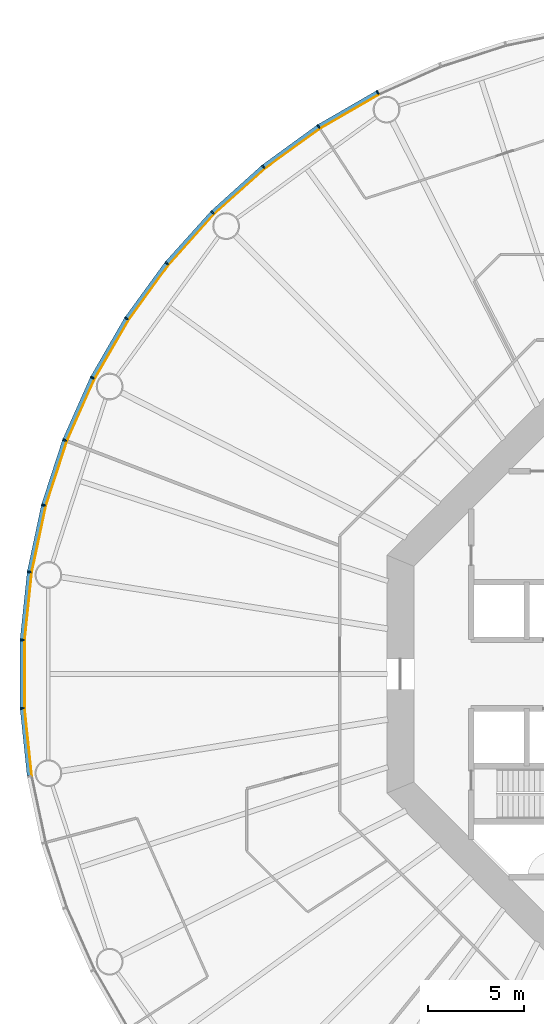
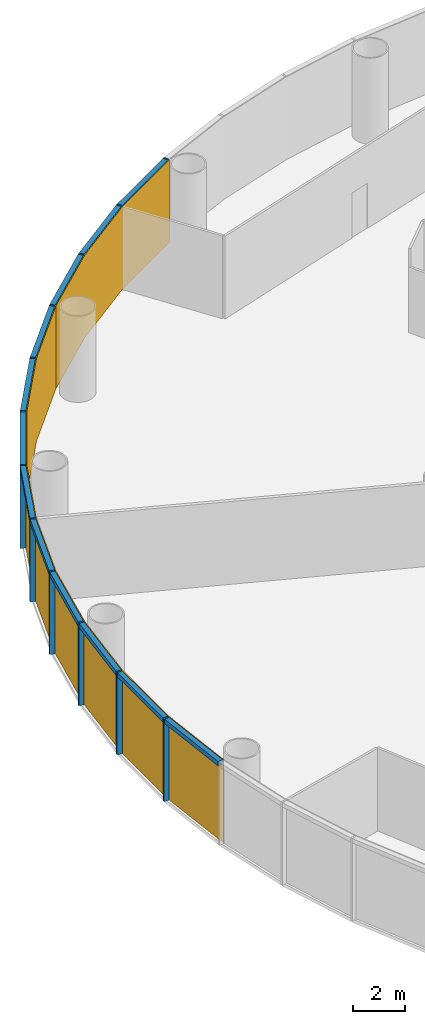
# One storey, part 9 of 13: 24 members, 4 curtain walls.
"""IFC4 building model written with IfcOpenShell, lengths in metres."""

import ifcopenshell
import ifcopenshell.guid

model = None  # the IFC model being written
_history = None  # IfcOwnerHistory: only IFC2X3 demands one
_inside = {}  # id of a spatial element -> (the spatial element, [elements in it])
_under = {}  # id of a project, library or spatial element -> (it, [spatial elements below it])
_declared = {}  # id of a project -> (the project, [libraries it declares])
_typed = {}  # id of a type object -> (the type object, [elements of that type])
_made_of = {}  # id of a material, layer set ... -> (it, [elements and type objects made of it])


def new_model(schema):
    """Start an empty IFC model of exactly this schema.

    Asked for "IFC4X3", IfcOpenShell would pick the latest addendum, in which some entities
    have other attributes; the version numbers below select the first issue.
    IFC2X3 requires an IfcOwnerHistory on every rooted entity: one is made here for all.
    """
    global model, _history
    if schema == "IFC4X3":
        model = ifcopenshell.file(schema_version=(4, 3, 0, 0))
    else:
        model = ifcopenshell.file(schema=schema)
    _inside.clear()
    _under.clear()
    _declared.clear()
    _typed.clear()
    _made_of.clear()
    _history = None
    if model.schema == "IFC2X3":
        org = make("IfcOrganization", Name="unknown")
        user = make(
            "IfcPersonAndOrganization",
            ThePerson=make("IfcPerson", FamilyName="unknown"),
            TheOrganization=org,
        )
        app = make(
            "IfcApplication",
            ApplicationDeveloper=org,
            Version="unknown",
            ApplicationFullName="unknown",
            ApplicationIdentifier="unknown",
        )
        _history = make(
            "IfcOwnerHistory",
            OwningUser=user,
            OwningApplication=app,
            ChangeAction="ADDED",
            CreationDate=0,
        )
    return model


def make(cls, **values):
    """One entity of the class cls with the attributes given. An attribute that is None is left unset."""
    return model.create_entity(
        cls, **{name: value for name, value in values.items() if value is not None}
    )


def rooted(cls, **values):
    """An entity with a GlobalId (a new one), such as an element, a storey or a relation."""
    return make(cls, GlobalId=ifcopenshell.guid.new(), OwnerHistory=_history, **values)


def si_unit(unit_type, name, prefix=None):
    """IfcSIUnit, for example si_unit("LENGTHUNIT", "METRE", prefix="MILLI")."""
    return make("IfcSIUnit", UnitType=unit_type, Prefix=prefix, Name=name)


def assignment(units):
    """IfcUnitAssignment: the units of a project."""
    return None if units is None else make("IfcUnitAssignment", Units=units)


def point(xyz):
    """IfcCartesianPoint."""
    return None if xyz is None else make("IfcCartesianPoint", Coordinates=xyz)


def direction(xyz):
    """IfcDirection."""
    return None if xyz is None else make("IfcDirection", DirectionRatios=xyz)


def frame(location, z_axis=None, x_axis=None):
    """IfcAxis2Placement3D, a coordinate frame: its origin and axes. An axis left out is left unset."""
    return make(
        "IfcAxis2Placement3D",
        Location=point(location),
        Axis=direction(z_axis),
        RefDirection=direction(x_axis),
    )


def frame_2d(location, x_axis=None):
    """IfcAxis2Placement2D, a coordinate frame in the plane: its origin and x axis."""
    return make(
        "IfcAxis2Placement2D", Location=point(location), RefDirection=direction(x_axis)
    )


def origin():
    """The frame at (0, 0, 0) with its axes left unset."""
    return frame((0.0, 0.0, 0.0))


def origin_2d():
    """The frame at (0, 0) in the plane with its x axis left unset."""
    return frame_2d((0.0, 0.0))


def place(relative_to, where):
    """IfcLocalPlacement: puts the frame where relative to a parent placement (None: the world)."""
    return make(
        "IfcLocalPlacement", PlacementRelTo=relative_to, RelativePlacement=where
    )


def context(
    kind, dimensions, precision=None, world=None, true_north=None, identifier=None
):
    """IfcGeometricRepresentationContext, for example the 3D "Model" context."""
    return make(
        "IfcGeometricRepresentationContext",
        ContextIdentifier=identifier,
        ContextType=kind,
        CoordinateSpaceDimension=dimensions,
        Precision=precision,
        WorldCoordinateSystem=world,
        TrueNorth=true_north,
    )


def subcontext(parent, identifier, kind, view, scale=None):
    """IfcGeometricRepresentationSubContext, for example "Body" below "Model"."""
    return make(
        "IfcGeometricRepresentationSubContext",
        ContextIdentifier=identifier,
        ContextType=kind,
        ParentContext=parent,
        TargetScale=scale,
        TargetView=view,
    )


def project(units=None, contexts=None):
    """IfcProject with its units and contexts."""
    return rooted(
        "IfcProject",
        Name="project",
        RepresentationContexts=contexts,
        UnitsInContext=assignment(units),
    )


def spatial(cls, under=None, at=None, **own):
    """A site, building, storey or space (cls), placed at a placement, below another one or the project."""
    s = rooted(cls, ObjectPlacement=at, **own)
    if under is not None:
        _under.setdefault(under.id(), (under, []))[1].append(s)
    return s


def polyline(points):
    """IfcPolyline through the points."""
    return make("IfcPolyline", Points=[point(p) for p in points])


def profile(cls, at=None, kind="AREA", **sizes):
    """A parametric profile (cls). Its sizes go by their IFC names, for example OverallWidth=200.0."""
    return make(cls, ProfileType=kind, Position=at, **sizes)


def rectangle(**sizes):
    """IfcRectangleProfileDef."""
    return profile("IfcRectangleProfileDef", **sizes)


def outline(outer, holes=None, kind="AREA"):
    """IfcArbitraryClosedProfileDef: a profile drawn as a closed curve; with holes, ...WithVoids."""
    if holes is None:
        return make("IfcArbitraryClosedProfileDef", ProfileType=kind, OuterCurve=outer)
    return make(
        "IfcArbitraryProfileDefWithVoids",
        ProfileType=kind,
        OuterCurve=outer,
        InnerCurves=holes,
    )


def extrude(swept, where, along, depth):
    """IfcExtrudedAreaSolid: the profile swept, set in the frame where, extruded along a direction by depth."""
    return make(
        "IfcExtrudedAreaSolid",
        SweptArea=swept,
        Position=where,
        ExtrudedDirection=direction(along),
        Depth=depth,
    )


def shape(context_of_items, identifier, shape_type, items):
    """IfcShapeRepresentation: the items that make up one representation, for example the "Body"."""
    return make(
        "IfcShapeRepresentation",
        ContextOfItems=context_of_items,
        RepresentationIdentifier=identifier,
        RepresentationType=shape_type,
        Items=items,
    )


def material(Name=None, Category=None):
    """IfcMaterial."""
    return make("IfcMaterial", Name=Name, Category=Category)


def layer(
    of_material, thickness, ventilated=None, Name=None, Category=None, Priority=None
):
    """IfcMaterialLayer: one layer of a wall or slab, of a material (None: an air gap)."""
    return make(
        "IfcMaterialLayer",
        Material=of_material,
        LayerThickness=thickness,
        IsVentilated=ventilated,
        Name=Name,
        Category=Category,
        Priority=Priority,
    )


def layer_set(layers, Name=None):
    """IfcMaterialLayerSet."""
    return make("IfcMaterialLayerSet", MaterialLayers=layers, LayerSetName=Name)


def material_profile(
    of_material, cross_section, Name=None, Category=None, Priority=None
):
    """IfcMaterialProfile: a cross section and its material."""
    return make(
        "IfcMaterialProfile",
        Name=Name,
        Material=of_material,
        Profile=cross_section,
        Priority=Priority,
        Category=Category,
    )


def profile_set(profiles, Name=None, composite=None):
    """IfcMaterialProfileSet."""
    return make(
        "IfcMaterialProfileSet",
        Name=Name,
        MaterialProfiles=profiles,
        CompositeProfile=composite,
    )


def made_of(thing, what):
    """Note that an element or type object is made of a material, layer set ...; save() writes the relation."""
    if what is not None:
        _made_of.setdefault(what.id(), (what, []))[1].append(thing)
    return thing


def type_object(cls, material=None, **own):
    """A type object (cls), such as IfcWallType, which elements share."""
    return made_of(rooted(cls, **own), material)


def element(
    cls,
    number,
    at=None,
    inside=None,
    cuts=None,
    type_object=None,
    material=None,
    context=None,
    identifier="Body",
    shape_type=None,
    held_by="IfcProductDefinitionShape",
    body=None,
    shapes=None,
    **own,
):
    """One element of the class cls, such as IfcWall. Its Tag is "e" and its number.

    at: its placement. inside: the storey or other place that contains it. cuts: it is an
    opening in that element (IfcRelVoidsElement). A single representation is given by context,
    identifier, shape_type and body (its items); several are given by shapes. held_by: the class
    of the entity that holds the representations. save() writes the other relations.
    """
    e = rooted(cls, Tag="e%d" % number, ObjectPlacement=at, **own)
    if body is not None:
        shapes = [shape(context, identifier, shape_type, body)]
    if shapes is not None:
        e.Representation = make(held_by, Representations=shapes)
    if inside is not None:
        _inside.setdefault(inside.id(), (inside, []))[1].append(e)
    if cuts is not None:
        rooted(
            "IfcRelVoidsElement", RelatingBuildingElement=cuts, RelatedOpeningElement=e
        )
    if type_object is not None:
        _typed.setdefault(type_object.id(), (type_object, []))[1].append(e)
    return made_of(e, material)


def aggregate(whole, parts):
    """IfcRelAggregates: a whole, such as a stair, and the parts it consists of."""
    return rooted("IfcRelAggregates", RelatingObject=whole, RelatedObjects=parts)


def save(model, path):
    """Write the relations noted so far, then the file.

    IfcRelAggregates (storeys below a building ...), IfcRelContainedInSpatialStructure (elements
    in a storey), IfcRelDefinesByType, IfcRelAssociatesMaterial and IfcRelDeclares: one each for
    every whole, place, type object, material and project.
    """
    for whole, parts in _under.values():
        aggregate(whole, parts)
    for where, things in _inside.values():
        rooted(
            "IfcRelContainedInSpatialStructure",
            RelatedElements=things,
            RelatingStructure=where,
        )
    for kind, things in _typed.values():
        rooted("IfcRelDefinesByType", RelatedObjects=things, RelatingType=kind)
    for what, things in _made_of.values():
        rooted("IfcRelAssociatesMaterial", RelatedObjects=things, RelatingMaterial=what)
    for by, libraries in _declared.values():
        rooted("IfcRelDeclares", RelatingContext=by, RelatedDefinitions=libraries)
    model.write(path)


model = new_model("IFC4")

# Units and contexts
model_context = context("Model", 3, precision=1e-05, world=origin(), true_north=direction((0.0, 1.0)))
body_context = subcontext(model_context, "Body", "Model", "MODEL_VIEW")
ifc_project = project(units=[si_unit("LENGTHUNIT", "METRE"), si_unit("AREAUNIT", "SQUARE_METRE"), si_unit("VOLUMEUNIT", "CUBIC_METRE"), si_unit("PLANEANGLEUNIT", "RADIAN"), si_unit("MASSUNIT", "GRAM", prefix="KILO")], contexts=[model_context])

# Member
ifc_material_1 = material(Name="Anodised aluminium", Category="aluminium")
ifc_material_profile_1 = material_profile(ifc_material_1, rectangle(XDim=0.074951171875, YDim=0.219970703125, at=origin_2d()), Name="Mullion 75 x 220 mm anodised aluminium")
ifc_profile_set_1 = profile_set([ifc_material_profile_1], Name="Anodised aluminium")
member_type_1 = type_object("IfcMemberType", Name="Mullion 75 x 220 mm anodised aluminium", PredefinedType="MULLION", material=ifc_profile_set_1)
site_placement = place(None, origin())
building_placement = place(site_placement, origin())
storey_placement = place(building_placement, frame((0.0, 0.0, 26.0)))
member_1_placement = place(storey_placement, frame((74.514404296875, 110.392333984375, 0.0), z_axis=(0.0, 0.0, 1.0), x_axis=(-0.891006524188, -0.45399049974, 0.0)))
member_1 = element("IfcMember", 1, at=member_1_placement, type_object=member_type_1, Name="MULLION L04-18", PredefinedType="MULLION", context=body_context, shape_type="SweptSolid", body=[
    extrude(rectangle(XDim=0.074951171875, YDim=0.219970703125, at=origin_2d()), origin(), (0.0, 0.0, 1.0), 3.85009765625),
])

member_2_placement = place(storey_placement, frame((71.42236328125, 108.60693359375, 0.0), z_axis=(0.0, 0.0, 1.0), x_axis=(-0.838670567945, -0.544639035015, 0.0)))
member_2 = element("IfcMember", 2, at=member_2_placement, type_object=member_type_1, Name="MULLION L04-19", PredefinedType="MULLION", context=body_context, shape_type="SweptSolid", body=[
    extrude(rectangle(XDim=0.074951171875, YDim=0.219970703125, at=origin_2d()), origin(), (0.0, 0.0, 1.0), 3.85009765625),
])

member_3_placement = place(storey_placement, frame((68.533935546875, 106.508544921875, 0.0), z_axis=(0.0, 0.0, 1.0), x_axis=(-0.777145961457, -0.62932039105, 0.0)))
member_3 = element("IfcMember", 3, at=member_3_placement, type_object=member_type_1, Name="MULLION L04-20", PredefinedType="MULLION", context=body_context, shape_type="SweptSolid", body=[
    extrude(rectangle(XDim=0.074951171875, YDim=0.219970703125, at=origin_2d()), origin(), (0.0, 0.0, 1.0), 3.85009765625),
])

member_4_placement = place(storey_placement, frame((65.880615234375, 104.119384765625, 0.0), z_axis=(0.0, 0.0, 1.0), x_axis=(-0.707106781187, -0.707106781187, 0.0)))
member_4 = element("IfcMember", 4, at=member_4_placement, type_object=member_type_1, Name="MULLION L04-21", PredefinedType="MULLION", context=body_context, shape_type="SweptSolid", body=[
    extrude(rectangle(XDim=0.074951171875, YDim=0.219970703125, at=origin_2d()), origin(), (0.0, 0.0, 1.0), 3.85009765625),
])

member_5_placement = place(storey_placement, frame((63.491455078125, 101.466064453125, 0.0), z_axis=(0.0, 0.0, 1.0), x_axis=(-0.62932039105, -0.777145961457, 0.0)))
member_5 = element("IfcMember", 5, at=member_5_placement, type_object=member_type_1, Name="MULLION L04-22", PredefinedType="MULLION", context=body_context, shape_type="SweptSolid", body=[
    extrude(rectangle(XDim=0.074951171875, YDim=0.219970703125, at=origin_2d()), origin(), (0.0, 0.0, 1.0), 3.85009765625),
])

member_6_placement = place(storey_placement, frame((61.39306640625, 98.57763671875, 0.0), z_axis=(0.0, 0.0, 1.0), x_axis=(-0.544639035015, -0.838670567945, 0.0)))
member_6 = element("IfcMember", 6, at=member_6_placement, type_object=member_type_1, Name="MULLION L04-23", PredefinedType="MULLION", context=body_context, shape_type="SweptSolid", body=[
    extrude(rectangle(XDim=0.074951171875, YDim=0.219970703125, at=origin_2d()), origin(), (0.0, 0.0, 1.0), 3.85009765625),
])

member_7_placement = place(storey_placement, frame((59.607666015625, 95.485595703125, 0.0), z_axis=(0.0, 0.0, 1.0), x_axis=(-0.45399049974, -0.891006524188, 0.0)))
member_7 = element("IfcMember", 7, at=member_7_placement, type_object=member_type_1, Name="MULLION L04-24", PredefinedType="MULLION", context=body_context, shape_type="SweptSolid", body=[
    extrude(rectangle(XDim=0.074951171875, YDim=0.219970703125, at=origin_2d()), origin(), (0.0, 0.0, 1.0), 3.85009765625),
])

member_8_placement = place(storey_placement, frame((58.155517578125, 92.223876953125, 0.0), z_axis=(0.0, 0.0, 1.0), x_axis=(-0.358367949545, -0.933580426497, 0.0)))
member_8 = element("IfcMember", 8, at=member_8_placement, type_object=member_type_1, Name="MULLION L04-25", PredefinedType="MULLION", context=body_context, shape_type="SweptSolid", body=[
    extrude(rectangle(XDim=0.074951171875, YDim=0.219970703125, at=origin_2d()), origin(), (0.0, 0.0, 1.0), 3.85009765625),
])

member_9_placement = place(storey_placement, frame((57.05224609375, 88.828369140625, 0.0), z_axis=(0.0, 0.0, 1.0), x_axis=(-0.258819045103, -0.965925826289, 0.0)))
member_9 = element("IfcMember", 9, at=member_9_placement, type_object=member_type_1, Name="MULLION L04-26", PredefinedType="MULLION", context=body_context, shape_type="SweptSolid", body=[
    extrude(rectangle(XDim=0.074951171875, YDim=0.219970703125, at=origin_2d()), origin(), (0.0, 0.0, 1.0), 3.85009765625),
])

member_10_placement = place(storey_placement, frame((56.31005859375, 85.3359375, 0.0), z_axis=(0.0, 0.0, 1.0), x_axis=(-0.15643446504, -0.987688340595, 0.0)))
member_10 = element("IfcMember", 10, at=member_10_placement, type_object=member_type_1, Name="MULLION L04-27", PredefinedType="MULLION", context=body_context, shape_type="SweptSolid", body=[
    extrude(rectangle(XDim=0.074951171875, YDim=0.219970703125, at=origin_2d()), origin(), (0.0, 0.0, 1.0), 3.85009765625),
])

member_11_placement = place(storey_placement, frame((55.936767578125, 81.78515625, 0.0), z_axis=(0.0, 0.0, 1.0), x_axis=(-0.052335956243, -0.998629534755, 0.0)))
member_11 = element("IfcMember", 11, at=member_11_placement, type_object=member_type_1, Name="MULLION L04-28", PredefinedType="MULLION", context=body_context, shape_type="SweptSolid", body=[
    extrude(rectangle(XDim=0.074951171875, YDim=0.219970703125, at=origin_2d()), origin(), (0.0, 0.0, 1.0), 3.85009765625),
])

member_12_placement = place(storey_placement, frame((55.936767578125, 78.21484375, 0.0), z_axis=(0.0, 0.0, 1.0), x_axis=(0.052335956243, -0.998629534755, 0.0)))
member_12 = element("IfcMember", 12, at=member_12_placement, type_object=member_type_1, Name="MULLION L04-29", PredefinedType="MULLION", context=body_context, shape_type="SweptSolid", body=[
    extrude(rectangle(XDim=0.074951171875, YDim=0.219970703125, at=origin_2d()), origin(), (0.0, 0.0, 1.0), 3.85009765625),
])

ifc_material_2 = material(Name="Anodised aluminium", Category="aluminium")
ifc_material_profile_2 = material_profile(ifc_material_2, rectangle(XDim=0.219970703125, YDim=0.199951171875, at=origin_2d()), Name="Transom 200 x 220 mm anodised aluminium")
ifc_profile_set_2 = profile_set([ifc_material_profile_2], Name="Anodised aluminium")
member_type_2 = type_object("IfcMemberType", Name="Transom 200 x 220 mm anodised aluminium", PredefinedType="USERDEFINED", material=ifc_profile_set_2)
member_13_placement = place(storey_placement, frame((74.476806640625, 110.370849609375, 3.75), z_axis=(-0.866022206254, -0.500005538244, 0.0), x_axis=(0.500005538244, -0.866022206254, 0.0)))
member_13 = element("IfcMember", 13, at=member_13_placement, type_object=member_type_2, Name="TRANSOM L04-18", ObjectType="TRANSOM", PredefinedType="USERDEFINED", context=body_context, shape_type="SweptSolid", body=[
    extrude(rectangle(XDim=0.219970703125, YDim=0.199951171875, at=origin_2d()), origin(), (0.0, 0.0, 1.0), 3.48388671875),
])

member_14_placement = place(storey_placement, frame((71.38720703125, 108.581787109375, 3.75), z_axis=(-0.80899056535, -0.587821627006, 0.0), x_axis=(0.587821627006, -0.80899056535, 0.0)))
member_14 = element("IfcMember", 14, at=member_14_placement, type_object=member_type_2, Name="TRANSOM L04-19", ObjectType="TRANSOM", PredefinedType="USERDEFINED", context=body_context, shape_type="SweptSolid", body=[
    extrude(rectangle(XDim=0.219970703125, YDim=0.199951171875, at=origin_2d()), origin(), (0.0, 0.0, 1.0), 3.48388671875),
])

member_15_placement = place(storey_placement, frame((68.501708984375, 106.479736328125, 3.75), z_axis=(-0.743137329876, -0.669138930974, 0.0), x_axis=(0.669138930974, -0.743137329876, 0.0)))
member_15 = element("IfcMember", 15, at=member_15_placement, type_object=member_type_2, Name="TRANSOM L04-20", ObjectType="TRANSOM", PredefinedType="USERDEFINED", context=body_context, shape_type="SweptSolid", body=[
    extrude(rectangle(XDim=0.219970703125, YDim=0.199951171875, at=origin_2d()), origin(), (0.0, 0.0, 1.0), 3.484130859375),
])

member_16_placement = place(storey_placement, frame((65.8515625, 104.08740234375, 3.75), z_axis=(-0.669138930974, -0.743137329876, 0.0), x_axis=(0.743137329876, -0.669138930974, 0.0)))
member_16 = element("IfcMember", 16, at=member_16_placement, type_object=member_type_2, Name="TRANSOM L04-21", ObjectType="TRANSOM", PredefinedType="USERDEFINED", context=body_context, shape_type="SweptSolid", body=[
    extrude(rectangle(XDim=0.219970703125, YDim=0.199951171875, at=origin_2d()), origin(), (0.0, 0.0, 1.0), 3.484130859375),
])

member_17_placement = place(storey_placement, frame((63.466064453125, 101.43115234375, 3.75), z_axis=(-0.587821627006, -0.80899056535, 0.0), x_axis=(0.80899056535, -0.587821627006, 0.0)))
member_17 = element("IfcMember", 17, at=member_17_placement, type_object=member_type_2, Name="TRANSOM L04-22", ObjectType="TRANSOM", PredefinedType="USERDEFINED", context=body_context, shape_type="SweptSolid", body=[
    extrude(rectangle(XDim=0.219970703125, YDim=0.199951171875, at=origin_2d()), origin(), (0.0, 0.0, 1.0), 3.48388671875),
])

member_18_placement = place(storey_placement, frame((61.37109375, 98.540283203125, 3.75), z_axis=(-0.500005538244, -0.866022206254, 0.0), x_axis=(0.866022206254, -0.500005538244, 0.0)))
member_18 = element("IfcMember", 18, at=member_18_placement, type_object=member_type_2, Name="TRANSOM L04-23", ObjectType="TRANSOM", PredefinedType="USERDEFINED", context=body_context, shape_type="SweptSolid", body=[
    extrude(rectangle(XDim=0.219970703125, YDim=0.199951171875, at=origin_2d()), origin(), (0.0, 0.0, 1.0), 3.48388671875),
])

member_19_placement = place(storey_placement, frame((59.590087890625, 95.446044921875, 3.75), z_axis=(-0.406736576304, -0.913545487371, 0.0), x_axis=(0.913545487371, -0.406736576304, 0.0)))
member_19 = element("IfcMember", 19, at=member_19_placement, type_object=member_type_2, Name="TRANSOM L04-24", ObjectType="TRANSOM", PredefinedType="USERDEFINED", context=body_context, shape_type="SweptSolid", body=[
    extrude(rectangle(XDim=0.219970703125, YDim=0.199951171875, at=origin_2d()), origin(), (0.0, 0.0, 1.0), 3.48388671875),
])

member_20_placement = place(storey_placement, frame((58.14208984375, 92.182861328125, 3.75), z_axis=(-0.309029029702, -0.951052605696, 0.0), x_axis=(0.951052605696, -0.309029029702, 0.0)))
member_20 = element("IfcMember", 20, at=member_20_placement, type_object=member_type_2, Name="TRANSOM L04-25", ObjectType="TRANSOM", PredefinedType="USERDEFINED", context=body_context, shape_type="SweptSolid", body=[
    extrude(rectangle(XDim=0.219970703125, YDim=0.199951171875, at=origin_2d()), origin(), (0.0, 0.0, 1.0), 3.484130859375),
])

member_21_placement = place(storey_placement, frame((57.043212890625, 88.7861328125, 3.75), z_axis=(-0.207920776701, -0.978145669426, 0.0), x_axis=(0.978145669426, -0.207920776701, 0.0)))
member_21 = element("IfcMember", 21, at=member_21_placement, type_object=member_type_2, Name="TRANSOM L04-26", ObjectType="TRANSOM", PredefinedType="USERDEFINED", context=body_context, shape_type="SweptSolid", body=[
    extrude(rectangle(XDim=0.219970703125, YDim=0.199951171875, at=origin_2d()), origin(), (0.0, 0.0, 1.0), 3.48388671875),
])

member_22_placement = place(storey_placement, frame((56.30517578125, 85.29296875, 3.75), z_axis=(-0.104484152234, -0.994526551648, 0.0), x_axis=(0.994526551648, -0.104484152234, 0.0)))
member_22 = element("IfcMember", 22, at=member_22_placement, type_object=member_type_2, Name="TRANSOM L04-27", ObjectType="TRANSOM", PredefinedType="USERDEFINED", context=body_context, shape_type="SweptSolid", body=[
    extrude(rectangle(XDim=0.219970703125, YDim=0.199951171875, at=origin_2d()), origin(), (0.0, 0.0, 1.0), 3.48388671875),
])

member_23_placement = place(storey_placement, frame((55.9365234375, 81.741943359375, 3.75), z_axis=(0.0, -1.0, 0.0), x_axis=(1.0, 0.0, 0.0)))
member_23 = element("IfcMember", 23, at=member_23_placement, type_object=member_type_2, Name="TRANSOM L04-28", ObjectType="TRANSOM", PredefinedType="USERDEFINED", context=body_context, shape_type="SweptSolid", body=[
    extrude(rectangle(XDim=0.219970703125, YDim=0.199951171875, at=origin_2d()), origin(), (0.0, 0.0, 1.0), 3.48388671875),
])

member_24_placement = place(storey_placement, frame((55.941162109375, 78.171875, 3.75), z_axis=(0.104484152234, -0.994526551648, 0.0), x_axis=(0.994526551648, 0.104484152234, 0.0)))
member_24 = element("IfcMember", 24, at=member_24_placement, type_object=member_type_2, Name="TRANSOM L04-29", ObjectType="TRANSOM", PredefinedType="USERDEFINED", context=body_context, shape_type="SweptSolid", body=[
    extrude(rectangle(XDim=0.219970703125, YDim=0.199951171875, at=origin_2d()), origin(), (0.0, 0.0, 1.0), 3.48388671875),
])

# Site, building, storey
site = spatial("IfcSite", under=ifc_project, at=site_placement, CompositionType="ELEMENT")
building = spatial("IfcBuilding", under=site, at=building_placement, Name="Entoto Ring Tower", CompositionType="ELEMENT")
storey = spatial("IfcBuildingStorey", under=building, at=storey_placement, Name="L04", CompositionType="ELEMENT", Elevation=26.0)

# Curtain wall
ifc_material_3 = material(Name="Clear low-iron glass", Category="glass")
ifc_layer = layer(ifc_material_3, 0.0400390625)
ifc_layer_set = layer_set([ifc_layer], Name="Clear low-iron glass")
curtain_wall_type = type_object("IfcCurtainWallType", Name="Curtain wall system CW1 glazing 40 mm", PredefinedType="NOTDEFINED", material=ifc_layer_set)
curtain_wall_1_placement = place(storey_placement, origin())
curtain_wall_1 = element("IfcCurtainWall", 25, at=curtain_wall_1_placement, inside=storey, type_object=curtain_wall_type, Name="CW1 L04-07", PredefinedType="NOTDEFINED", context=body_context, shape_type="SweptSolid", body=[
    extrude(outline(polyline([(74.564208984375, 110.294189453125), (71.482177734375, 108.514892578125), (68.60302734375, 106.4228515625), (65.958251953125, 104.041748046875), (65.986572265625, 104.013427734375), (68.62841796875, 106.391845703125), (71.504150390625, 108.481201171875), (74.58251953125, 110.258544921875), (74.564208984375, 110.294189453125)])), origin(), (0.0, 0.0, 1.0), 3.85009765625),
])

aggregate(curtain_wall_1, [member_1, member_2, member_3, member_13, member_14, member_15])

curtain_wall_2_placement = place(storey_placement, origin())
curtain_wall_2 = element("IfcCurtainWall", 26, at=curtain_wall_2_placement, inside=storey, type_object=curtain_wall_type, Name="CW1 L04-08", PredefinedType="NOTDEFINED", context=body_context, shape_type="SweptSolid", body=[
    extrude(outline(polyline([(65.958251953125, 104.041748046875), (63.5771484375, 101.39697265625), (61.485107421875, 98.517822265625), (59.705810546875, 95.435791015625), (59.741455078125, 95.41748046875), (61.518798828125, 98.495849609375), (63.608154296875, 101.37158203125), (65.986572265625, 104.013427734375), (65.958251953125, 104.041748046875)])), origin(), (0.0, 0.0, 1.0), 3.85009765625),
])

aggregate(curtain_wall_2, [member_4, member_5, member_6, member_16, member_17, member_18])

curtain_wall_3_placement = place(storey_placement, origin())
curtain_wall_3 = element("IfcCurtainWall", 27, at=curtain_wall_3_placement, inside=storey, type_object=curtain_wall_type, Name="CW1 L04-09", PredefinedType="NOTDEFINED", context=body_context, shape_type="SweptSolid", body=[
    extrude(outline(polyline([(59.705810546875, 95.435791015625), (58.25830078125, 92.1845703125), (57.158447265625, 88.7998046875), (56.418701171875, 85.31884765625), (56.458251953125, 85.3125), (57.197265625, 88.78955078125), (58.295654296875, 92.170166015625), (59.741455078125, 95.41748046875), (59.705810546875, 95.435791015625)])), origin(), (0.0, 0.0, 1.0), 3.85009765625),
])

aggregate(curtain_wall_3, [member_7, member_8, member_9, member_19, member_20, member_21])

curtain_wall_4_placement = place(storey_placement, origin())
curtain_wall_4 = element("IfcCurtainWall", 28, at=curtain_wall_4_placement, inside=storey, type_object=curtain_wall_type, Name="CW1 L04-10", PredefinedType="NOTDEFINED", context=body_context, shape_type="SweptSolid", body=[
    extrude(outline(polyline([(56.418701171875, 85.31884765625), (56.046630859375, 81.779541015625), (56.046630859375, 78.220458984375), (56.418701171875, 74.68115234375), (56.458251953125, 74.6875), (56.086669921875, 78.22265625), (56.086669921875, 81.77734375), (56.458251953125, 85.3125), (56.418701171875, 85.31884765625)])), origin(), (0.0, 0.0, 1.0), 3.85009765625),
])

aggregate(curtain_wall_4, [member_10, member_11, member_12, member_22, member_23, member_24])

save(model, "model.ifc")
